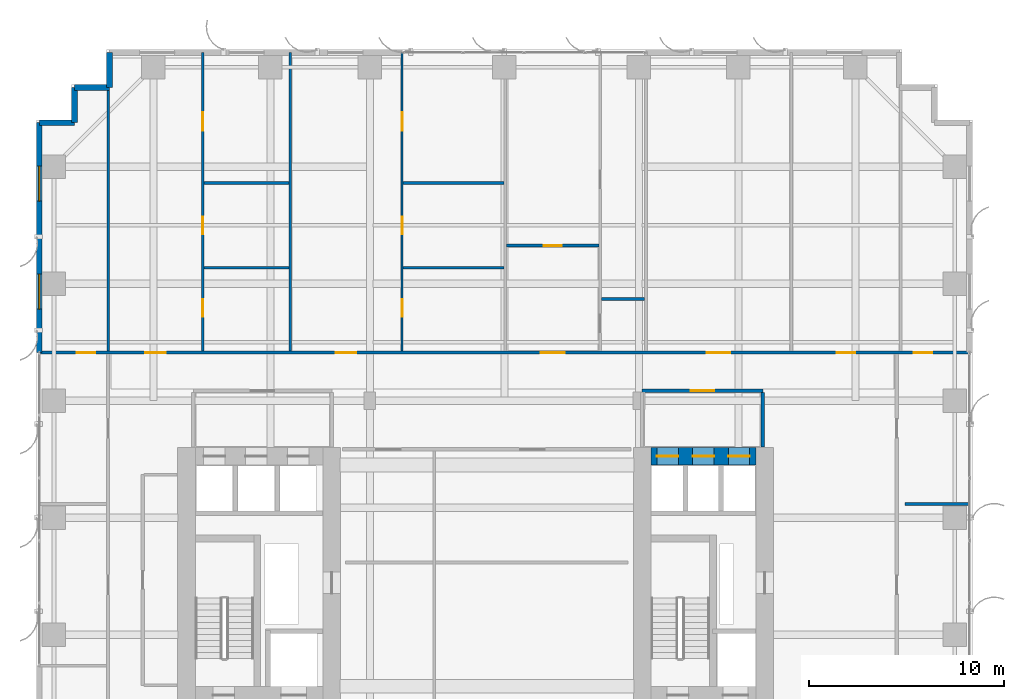
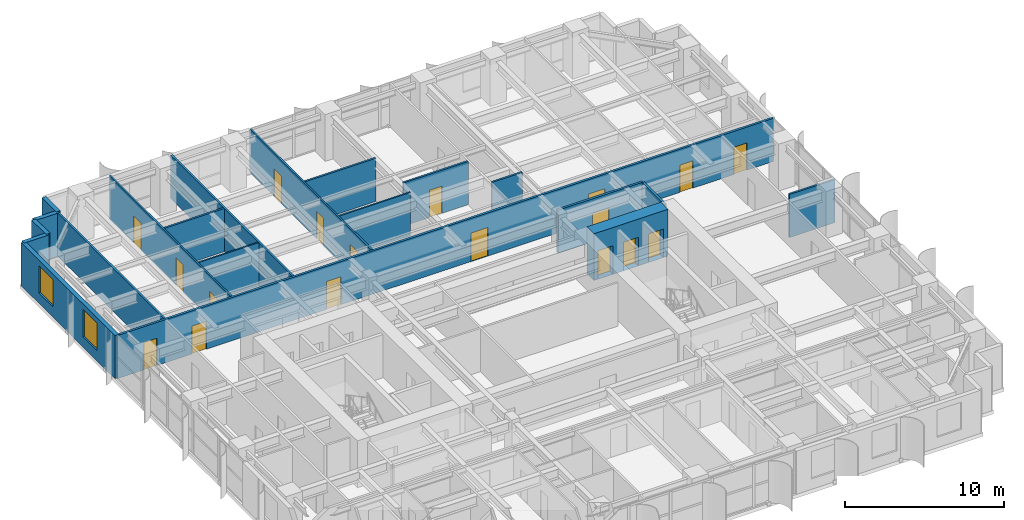
# One storey, part 18 of 23: 20 walls, 18 doors, 2 windows, 20 openings.
"""IFC4 building model written with IfcOpenShell, lengths in metres."""

from ifc_helpers import new_model, si_unit, direction, frame, frame_2d, origin, place, context, subcontext, project, spatial, rectangle, extrude, source, transform, mapped, material, layer, layer_set, type_object, element, fill, save


model = new_model("IFC4")

# Units and contexts
model_context = context("Model", 3, precision=1e-05, world=origin(), true_north=direction((0.0, 1.0)))
body_context = subcontext(model_context, "Body", "Model", "MODEL_VIEW")
ifc_project = project(units=[si_unit("LENGTHUNIT", "METRE"), si_unit("AREAUNIT", "SQUARE_METRE"), si_unit("VOLUMEUNIT", "CUBIC_METRE"), si_unit("PLANEANGLEUNIT", "RADIAN"), si_unit("MASSUNIT", "GRAM", prefix="KILO")], contexts=[model_context])

# Site, building, storey
site_placement = place(None, origin())
site = spatial("IfcSite", under=ifc_project, at=site_placement, CompositionType="ELEMENT")
building_placement = place(site_placement, origin())
building = spatial("IfcBuilding", under=site, at=building_placement, Name="Khoralis Quay Care Tower", CompositionType="ELEMENT")
storey_placement = place(building_placement, frame((0.0, 0.0, 36.89990234375)))
storey = spatial("IfcBuildingStorey", under=building, at=storey_placement, Name="L09", CompositionType="ELEMENT", Elevation=36.89990234375)

# Wall, openings, doors
ifc_material_1 = material(Name="Concrete C80/95", Category="concrete")
ifc_layer_1 = layer(ifc_material_1, 0.89990234375)
ifc_layer_set_1 = layer_set([ifc_layer_1], Name="Concrete C80/95")
wall_type_1 = type_object("IfcWallType", Name="WL-CORE-900", PredefinedType="SHEAR", material=ifc_layer_set_1)
wall_1_placement = place(storey_placement, frame((31.52001953125, 27.14990234375, 0.0), z_axis=(0.0, 0.0, 1.0), x_axis=(1.0, 0.0, 0.0)))
wall_1 = element("IfcWall", 1, at=wall_1_placement, inside=storey, type_object=wall_type_1, Name="L09 ECORE North Shear Wall", PredefinedType="SHEAR", context=body_context, shape_type="SweptSolid", body=[
    extrude(rectangle(XDim=5.3798828125, YDim=0.89990234375, at=frame_2d((2.68994140625, 0.0))), origin(), (0.0, 0.0, 1.0), 3.60009765625),
])
opening_1_placement = place(wall_1_placement, frame((0.300048828125, 0.0, 0.0)))
opening_1 = element("IfcOpeningElement", 2, at=opening_1_placement, cuts=wall_1, Name="Opening LD1", PredefinedType="OPENING", context=body_context, shape_type="SweptSolid", body=[
    extrude(rectangle(XDim=1.10009765625, YDim=2.199951171875, at=frame_2d((0.550048828125, 1.10009765625))), frame((0.0, 0.4599609375, 0.0), z_axis=(0.0, -1.0, 0.0), x_axis=(1.0, 0.0, 0.0)), (0.0, 0.0, 1.0), 0.919921875),
])
opening_2_placement = place(wall_1_placement, frame((2.1298828125, 0.0, 0.0)))
opening_2 = element("IfcOpeningElement", 3, at=opening_2_placement, cuts=wall_1, Name="Opening LD1", PredefinedType="OPENING", context=body_context, shape_type="SweptSolid", body=[
    extrude(rectangle(XDim=1.10009765625, YDim=2.199951171875, at=frame_2d((0.550048828125, 1.10009765625))), frame((0.0, 0.4599609375, 0.0), z_axis=(0.0, -1.0, 0.0), x_axis=(1.0, 0.0, 0.0)), (0.0, 0.0, 1.0), 0.919921875),
])
opening_3_placement = place(wall_1_placement, frame((3.9599609375, 0.0, 0.0)))
opening_3 = element("IfcOpeningElement", 4, at=opening_3_placement, cuts=wall_1, Name="Opening LD1", PredefinedType="OPENING", context=body_context, shape_type="SweptSolid", body=[
    extrude(rectangle(XDim=1.10009765625, YDim=2.199951171875, at=frame_2d((0.550048828125, 1.10009765625))), frame((0.0, 0.4599609375, 0.0), z_axis=(0.0, -1.0, 0.0), x_axis=(1.0, 0.0, 0.0)), (0.0, 0.0, 1.0), 0.919921875),
])
ifc_material_2 = material(Name="Brushed stainless steel", Category="steel")
door_type_1 = type_object("IfcDoorType", Name="DR-LIFT-1100X2200", OperationType="SLIDING_TO_LEFT", PredefinedType="DOOR", material=ifc_material_2)
shared_shape_1 = source(origin(), body_context, "Body", "SweptSolid", [
    extrude(rectangle(XDim=1.10009765625, YDim=2.199951171875, at=frame_2d((0.550048828125, 1.10009765625))), frame((0.0, 0.02490234375, 0.0), z_axis=(0.0, -1.0, 0.0), x_axis=(1.0, 0.0, 0.0)), (0.0, 0.0, 1.0), 0.050048828125),
])
door_1_placement = place(opening_1_placement, origin())
door_1 = element("IfcDoor", 5, at=door_1_placement, inside=storey, type_object=door_type_1, Name="L09 Lift PLL2 Landing Door", OperationType="SLIDING_TO_LEFT", OverallHeight=2.199951171875, OverallWidth=1.10009765625, PredefinedType="DOOR", context=body_context, shape_type="MappedRepresentation", body=[
    mapped(shared_shape_1, transform((0.0, 0.0, 0.0), scale=1.0)),
])
fill(opening_1, door_1)
door_2_placement = place(opening_2_placement, origin())
door_2 = element("IfcDoor", 6, at=door_2_placement, inside=storey, type_object=door_type_1, Name="L09 Lift PLM2 Landing Door", OperationType="SLIDING_TO_LEFT", OverallHeight=2.199951171875, OverallWidth=1.10009765625, PredefinedType="DOOR", context=body_context, shape_type="MappedRepresentation", body=[
    mapped(shared_shape_1, transform((0.0, 0.0, 0.0), scale=1.0)),
])
fill(opening_2, door_2)
door_3_placement = place(opening_3_placement, origin())
door_3 = element("IfcDoor", 7, at=door_3_placement, inside=storey, type_object=door_type_1, Name="L09 Lift PLH2 Landing Door", OperationType="SLIDING_TO_LEFT", OverallHeight=2.199951171875, OverallWidth=1.10009765625, PredefinedType="DOOR", context=body_context, shape_type="MappedRepresentation", body=[
    mapped(shared_shape_1, transform((0.0, 0.0, 0.0), scale=1.0)),
])
fill(opening_3, door_3)

# Wall, opening, door
ifc_material_3 = material(Name="Gypsum plasterboard on acoustic metal stud")
ifc_layer_2 = layer(ifc_material_3, 0.1650390625)
ifc_layer_set_2 = layer_set([ifc_layer_2], Name="Gypsum plasterboard on acoustic metal stud")
wall_type_2 = type_object("IfcWallType", Name="WL-CORR-165", PredefinedType="PARTITIONING", material=ifc_layer_set_2)
wall_2_placement = place(storey_placement, frame((31.050048828125, 30.5, 0.0), z_axis=(0.0, 0.0, 1.0), x_axis=(1.0, 0.0, 0.0)))
wall_2 = element("IfcWall", 8, at=wall_2_placement, inside=storey, type_object=wall_type_2, Name="L09 East Lift Lobby North Wall", PredefinedType="PARTITIONING", context=body_context, shape_type="SweptSolid", body=[
    extrude(rectangle(XDim=6.199951171875, YDim=0.1650390625, at=frame_2d((3.10009765625, 0.0))), origin(), (0.0, 0.0, 1.0), 3.320068359375),
])
opening_4_placement = place(wall_2_placement, frame((2.5, 0.0, 0.0)))
opening_4 = element("IfcOpeningElement", 9, at=opening_4_placement, cuts=wall_2, Name="Opening FD1", PredefinedType="OPENING", context=body_context, shape_type="SweptSolid", body=[
    extrude(rectangle(XDim=1.199951171875, YDim=2.199951171875, at=frame_2d((0.60009765625, 1.10009765625))), frame((0.0, 0.092529296875, 0.0), z_axis=(0.0, -1.0, 0.0), x_axis=(1.0, 0.0, 0.0)), (0.0, 0.0, 1.0), 0.18505859375),
])
ifc_material_4 = material(Name="Fire-rated painted steel", Category="steel")
door_type_2 = type_object("IfcDoorType", Name="DR-FFL-1200X2200", OperationType="NOTDEFINED", PredefinedType="DOOR", material=ifc_material_4)
shared_shape_2 = source(origin(), body_context, "Body", "SweptSolid", [
    extrude(rectangle(XDim=1.199951171875, YDim=2.199951171875, at=frame_2d((0.60009765625, 1.10009765625))), frame((0.0, 0.02490234375, 0.0), z_axis=(0.0, -1.0, 0.0), x_axis=(1.0, 0.0, 0.0)), (0.0, 0.0, 1.0), 0.050048828125),
])
door_4_placement = place(opening_4_placement, origin())
door_4 = element("IfcDoor", 10, at=door_4_placement, inside=storey, type_object=door_type_2, Name="L09 East Lift Lobby Double Door", OperationType="DOUBLE_DOOR_SINGLE_SWING", OverallHeight=2.199951171875, OverallWidth=1.199951171875, PredefinedType="DOOR", context=body_context, shape_type="MappedRepresentation", body=[
    mapped(shared_shape_2, transform((0.0, 0.0, 0.0), scale=1.0)),
])
fill(opening_4, door_4)

# Wall
wall_3_placement = place(storey_placement, frame((37.25, 27.6201171875, 0.0), z_axis=(0.0, 0.0, 1.0), x_axis=(0.0, 1.0, 0.0)))
element("IfcWall", 11, at=wall_3_placement, inside=storey, type_object=wall_type_2, Name="L09 East Lift Lobby East Wall", PredefinedType="PARTITIONING", context=body_context, shape_type="SweptSolid", body=[
    extrude(rectangle(XDim=2.802490234375, YDim=0.1650390625, at=frame_2d((1.4013671875, 0.0))), origin(), (0.0, 0.0, 1.0), 3.320068359375),
])

# Wall, openings, doors
wall_4_placement = place(storey_placement, frame((0.14501953125, 32.4599609375, 0.0), z_axis=(0.0, 0.0, 1.0), x_axis=(1.0, 0.0, 0.0)))
wall_4 = element("IfcWall", 12, at=wall_4_placement, inside=storey, type_object=wall_type_2, Name="L09 North Main Corridor Wall", PredefinedType="PARTITIONING", context=body_context, shape_type="SweptSolid", body=[
    extrude(rectangle(XDim=47.7099609375, YDim=0.1650390625, at=frame_2d((23.85498046875, 0.0))), origin(), (0.0, 0.0, 1.0), 3.320068359375),
])
opening_5_placement = place(wall_4_placement, frame((5.4384765625, 0.0, 0.0)))
opening_5 = element("IfcOpeningElement", 13, at=opening_5_placement, cuts=wall_4, Name="Opening UD1", PredefinedType="OPENING", context=body_context, shape_type="SweptSolid", body=[
    extrude(rectangle(XDim=1.050048828125, YDim=2.14990234375, at=frame_2d((0.52490234375, 1.074951171875))), frame((0.0, 0.092529296875, 0.0), z_axis=(0.0, -1.0, 0.0), x_axis=(1.0, 0.0, 0.0)), (0.0, 0.0, 1.0), 0.18505859375),
])
opening_6_placement = place(wall_4_placement, frame((15.218017578125, 0.0, 0.0)))
opening_6 = element("IfcOpeningElement", 14, at=opening_6_placement, cuts=wall_4, Name="Opening UD1", PredefinedType="OPENING", context=body_context, shape_type="SweptSolid", body=[
    extrude(rectangle(XDim=1.050048828125, YDim=2.14990234375, at=frame_2d((0.52490234375, 1.074951171875))), frame((0.0, 0.092529296875, 0.0), z_axis=(0.0, -1.0, 0.0), x_axis=(1.0, 0.0, 0.0)), (0.0, 0.0, 1.0), 0.18505859375),
])
opening_7_placement = place(wall_4_placement, frame((25.7099609375, 0.0, 0.0)))
opening_7 = element("IfcOpeningElement", 15, at=opening_7_placement, cuts=wall_4, Name="Opening CD1", PredefinedType="OPENING", context=body_context, shape_type="SweptSolid", body=[
    extrude(rectangle(XDim=1.25, YDim=2.199951171875, at=frame_2d((0.625, 1.10009765625))), frame((0.0, 0.092529296875, 0.0), z_axis=(0.0, -1.0, 0.0), x_axis=(1.0, 0.0, 0.0)), (0.0, 0.0, 1.0), 0.18505859375),
])
opening_8_placement = place(wall_4_placement, frame((34.239990234375, 0.0, 0.0)))
opening_8 = element("IfcOpeningElement", 16, at=opening_8_placement, cuts=wall_4, Name="Opening FD1", PredefinedType="OPENING", context=body_context, shape_type="SweptSolid", body=[
    extrude(rectangle(XDim=1.199951171875, YDim=2.199951171875, at=frame_2d((0.60009765625, 1.10009765625))), frame((0.0, 0.092529296875, 0.0), z_axis=(0.0, -1.0, 0.0), x_axis=(1.0, 0.0, 0.0)), (0.0, 0.0, 1.0), 0.18505859375),
])
opening_9_placement = place(wall_4_placement, frame((40.89501953125, 0.0, 0.0)))
opening_9 = element("IfcOpeningElement", 17, at=opening_9_placement, cuts=wall_4, Name="Opening ID1", PredefinedType="OPENING", context=body_context, shape_type="SweptSolid", body=[
    extrude(rectangle(XDim=0.949951171875, YDim=2.10009765625, at=frame_2d((0.47509765625, 1.050048828125))), frame((0.0, 0.092529296875, 0.0), z_axis=(0.0, -1.0, 0.0), x_axis=(1.0, 0.0, 0.0)), (0.0, 0.0, 1.0), 0.18505859375),
])
opening_10_placement = place(wall_4_placement, frame((1.919921875, 0.0, 0.0)))
opening_10 = element("IfcOpeningElement", 18, at=opening_10_placement, cuts=wall_4, Name="Opening ID1", PredefinedType="OPENING", context=body_context, shape_type="SweptSolid", body=[
    extrude(rectangle(XDim=0.949951171875, YDim=2.10009765625, at=frame_2d((0.47509765625, 1.050048828125))), frame((0.0, 0.092529296875, 0.0), z_axis=(0.0, -1.0, 0.0), x_axis=(1.0, 0.0, 0.0)), (0.0, 0.0, 1.0), 0.18505859375),
])
opening_11_placement = place(wall_4_placement, frame((44.840087890625, 0.0, 0.0)))
opening_11 = element("IfcOpeningElement", 19, at=opening_11_placement, cuts=wall_4, Name="Opening ID1", PredefinedType="OPENING", context=body_context, shape_type="SweptSolid", body=[
    extrude(rectangle(XDim=0.949951171875, YDim=2.10009765625, at=frame_2d((0.47509765625, 1.050048828125))), frame((0.0, 0.092529296875, 0.0), z_axis=(0.0, -1.0, 0.0), x_axis=(1.0, 0.0, 0.0)), (0.0, 0.0, 1.0), 0.18505859375),
])
door_5_placement = place(opening_8_placement, origin())
door_5 = element("IfcDoor", 20, at=door_5_placement, inside=storey, type_object=door_type_2, Name="L09 Senior Wellness Pharmacy Shop Door", OperationType="DOUBLE_DOOR_SINGLE_SWING", OverallHeight=2.199951171875, OverallWidth=1.199951171875, PredefinedType="DOOR", context=body_context, shape_type="MappedRepresentation", body=[
    mapped(shared_shape_2, transform((0.0, 0.0, 0.0), scale=1.0)),
])
fill(opening_8, door_5)
ifc_material_5 = material(Name="Acoustic hardwood timber", Category="wood")
door_type_3 = type_object("IfcDoorType", Name="DR-CARE-1250X2200", OperationType="NOTDEFINED", PredefinedType="DOOR", material=ifc_material_5)
shared_shape_3 = source(origin(), body_context, "Body", "SweptSolid", [
    extrude(rectangle(XDim=1.25, YDim=2.199951171875, at=frame_2d((0.625, 1.10009765625))), frame((0.0, 0.02490234375, 0.0), z_axis=(0.0, -1.0, 0.0), x_axis=(1.0, 0.0, 0.0)), (0.0, 0.0, 1.0), 0.050048828125),
])
door_6_placement = place(opening_7_placement, origin())
door_6 = element("IfcDoor", 21, at=door_6_placement, inside=storey, type_object=door_type_3, Name="L09 Care Suite NB2 Clinical Door", OperationType="SINGLE_SWING_LEFT", OverallHeight=2.199951171875, OverallWidth=1.25, PredefinedType="DOOR", context=body_context, shape_type="MappedRepresentation", body=[
    mapped(shared_shape_3, transform((0.0, 0.0, 0.0), scale=1.0)),
])
fill(opening_7, door_6)
door_type_4 = type_object("IfcDoorType", Name="DR-ROOM-950X2100", OperationType="NOTDEFINED", PredefinedType="DOOR", material=ifc_material_5)
shared_shape_4 = source(origin(), body_context, "Body", "SweptSolid", [
    extrude(rectangle(XDim=0.949951171875, YDim=2.10009765625, at=frame_2d((0.47509765625, 1.050048828125))), frame((0.0, 0.02490234375, 0.0), z_axis=(0.0, -1.0, 0.0), x_axis=(1.0, 0.0, 0.0)), (0.0, 0.0, 1.0), 0.050048828125),
])
door_7_placement = place(opening_9_placement, origin())
door_7 = element("IfcDoor", 22, at=door_7_placement, inside=storey, type_object=door_type_4, Name="L09 Family Case Conference Room Door", OperationType="SINGLE_SWING_RIGHT", OverallHeight=2.10009765625, OverallWidth=0.949951171875, PredefinedType="DOOR", context=body_context, shape_type="MappedRepresentation", body=[
    mapped(shared_shape_4, transform((0.0, 0.0, 0.0), scale=1.0)),
])
fill(opening_9, door_7)
door_8_placement = place(opening_10_placement, origin())
door_8 = element("IfcDoor", 23, at=door_8_placement, inside=storey, type_object=door_type_4, Name="L09 NW Corner Door", OperationType="SINGLE_SWING_RIGHT", OverallHeight=2.10009765625, OverallWidth=0.949951171875, PredefinedType="DOOR", context=body_context, shape_type="MappedRepresentation", body=[
    mapped(shared_shape_4, transform((0.0, 0.0, 0.0), scale=1.0)),
])
fill(opening_10, door_8)
door_9_placement = place(opening_11_placement, origin())
door_9 = element("IfcDoor", 24, at=door_9_placement, inside=storey, type_object=door_type_4, Name="L09 NE Corner Door", OperationType="SINGLE_SWING_LEFT", OverallHeight=2.10009765625, OverallWidth=0.949951171875, PredefinedType="DOOR", context=body_context, shape_type="MappedRepresentation", body=[
    mapped(shared_shape_4, transform((0.0, 0.0, 0.0), scale=1.0)),
])
fill(opening_11, door_9)
door_type_5 = type_object("IfcDoorType", Name="DR-SUITE-1050X2150", OperationType="NOTDEFINED", PredefinedType="DOOR", material=ifc_material_5)
shared_shape_5 = source(origin(), body_context, "Body", "SweptSolid", [
    extrude(rectangle(XDim=1.050048828125, YDim=2.14990234375, at=frame_2d((0.52490234375, 1.074951171875))), frame((0.0, 0.02490234375, 0.0), z_axis=(0.0, -1.0, 0.0), x_axis=(1.0, 0.0, 0.0)), (0.0, 0.0, 1.0), 0.050048828125),
])
door_10_placement = place(opening_5_placement, origin())
door_10 = element("IfcDoor", 25, at=door_10_placement, inside=storey, type_object=door_type_5, Name="L09 Apartment NB0 Entrance Door", OperationType="SINGLE_SWING_LEFT", OverallHeight=2.14990234375, OverallWidth=1.050048828125, PredefinedType="DOOR", context=body_context, shape_type="MappedRepresentation", body=[
    mapped(shared_shape_5, transform((0.0, 0.0, 0.0), scale=1.0)),
])
fill(opening_5, door_10)
door_11_placement = place(opening_6_placement, origin())
door_11 = element("IfcDoor", 26, at=door_11_placement, inside=storey, type_object=door_type_5, Name="L09 Apartment NB1 Entrance Door", OperationType="SINGLE_SWING_RIGHT", OverallHeight=2.14990234375, OverallWidth=1.050048828125, PredefinedType="DOOR", context=body_context, shape_type="MappedRepresentation", body=[
    mapped(shared_shape_5, transform((0.0, 0.0, 0.0), scale=1.0)),
])
fill(opening_6, door_11)

# Walls
ifc_material_6 = material(Name="Precast concrete C45/55", Category="concrete")
ifc_layer_3 = layer(ifc_material_6, 0.300048828125)
ifc_layer_set_3 = layer_set([ifc_layer_3], Name="Precast concrete C45/55")
wall_type_3 = type_object("IfcWallType", Name="WL-EXT-REF-300", PredefinedType="SOLIDWALL", material=ifc_layer_set_3)
for number, where, z_axis, x_axis, name in (
    (27, (3.75, 47.85009765625, 0.0), (0.0, 0.0, 1.0), (0.0, -1.0, 0.0), "L09 External Facade Wall WL-EXT-L09-P1-C11"),
    (28, (3.75, 46.050048828125, 0.0), (0.0, 0.0, 1.0), (-1.0, 0.0, 0.0), "L09 External Facade Wall WL-EXT-L09-P1-C12"),
    (29, (1.949951171875, 46.050048828125, 0.0), (0.0, 0.0, 1.0), (0.0, -1.0, 0.0), "L09 External Facade Wall WL-EXT-L09-P1-C13"),
    (30, (1.949951171875, 44.25, 0.0), (0.0, 0.0, 1.0), (-1.0, 0.0, 0.0), "L09 External Facade Wall WL-EXT-L09-P1-C14"),
):
    element("IfcWall", number, at=place(storey_placement, frame(where, z_axis=z_axis, x_axis=x_axis)), inside=storey, type_object=wall_type_3, Name=name, PredefinedType="SOLIDWALL", context=body_context, shape_type="SweptSolid", body=[
        extrude(rectangle(XDim=1.800048828125, YDim=0.300048828125, at=frame_2d((0.89990234375, 0.0))), origin(), (0.0, 0.0, 1.0), 3.320068359375),
    ])

# Wall, openings, windows
wall_5_placement = place(storey_placement, frame((0.14990234375, 44.25, 0.0), z_axis=(0.0, 0.0, 1.0), x_axis=(0.0, -1.0, 0.0)))
wall_5 = element("IfcWall", 31, at=wall_5_placement, inside=storey, type_object=wall_type_3, Name="L09 External Facade Wall WL-EXT-L09-P1-E15A", PredefinedType="SOLIDWALL", context=body_context, shape_type="SweptSolid", body=[
    extrude(rectangle(XDim=11.7900390625, YDim=0.300048828125, at=frame_2d((5.89501953125, 0.0))), origin(), (0.0, 0.0, 1.0), 3.320068359375),
])
opening_12_placement = place(wall_5_placement, frame((2.2275390625, 0.0, 0.800048828125)))
opening_12 = element("IfcOpeningElement", 32, at=opening_12_placement, cuts=wall_5, Name="Opening W2", PredefinedType="OPENING", context=body_context, shape_type="SweptSolid", body=[
    extrude(rectangle(XDim=1.800048828125, YDim=2.10009765625, at=frame_2d((0.89990234375, 1.050048828125))), frame((0.0, 0.16015625, 0.0), z_axis=(0.0, -1.0, 0.0), x_axis=(1.0, 0.0, 0.0)), (0.0, 0.0, 1.0), 0.320068359375),
])
opening_13_placement = place(wall_5_placement, frame((7.762451171875, 0.0, 0.800048828125)))
opening_13 = element("IfcOpeningElement", 33, at=opening_13_placement, cuts=wall_5, Name="Opening W2", PredefinedType="OPENING", context=body_context, shape_type="SweptSolid", body=[
    extrude(rectangle(XDim=1.800048828125, YDim=2.10009765625, at=frame_2d((0.89990234375, 1.050048828125))), frame((0.0, 0.16015625, 0.0), z_axis=(0.0, -1.0, 0.0), x_axis=(1.0, 0.0, 0.0)), (0.0, 0.0, 1.0), 0.320068359375),
])
ifc_material_7 = material(Name="Low-E solar-control double glazing", Category="glass")
window_type = type_object("IfcWindowType", Name="WN-POD-1800X2100", PartitioningType="SINGLE_PANEL", PredefinedType="WINDOW", material=ifc_material_7)
shared_shape_6 = source(origin(), body_context, "Body", "SweptSolid", [
    extrude(rectangle(XDim=1.800048828125, YDim=2.10009765625, at=frame_2d((0.89990234375, 1.050048828125))), frame((0.0, 0.030029296875, 0.0), z_axis=(0.0, -1.0, 0.0), x_axis=(1.0, 0.0, 0.0)), (0.0, 0.0, 1.0), 0.06005859375),
])
window_1_placement = place(opening_12_placement, origin())
window_1 = element("IfcWindow", 34, at=window_1_placement, inside=storey, type_object=window_type, Name="WN-L09-P1-E15A Facade Window 01", OverallHeight=2.10009765625, OverallWidth=1.800048828125, PartitioningType="SINGLE_PANEL", PredefinedType="WINDOW", context=body_context, shape_type="MappedRepresentation", body=[
    mapped(shared_shape_6, transform((0.0, 0.0, 0.0), scale=1.0)),
])
fill(opening_12, window_1)
window_2_placement = place(opening_13_placement, origin())
window_2 = element("IfcWindow", 35, at=window_2_placement, inside=storey, type_object=window_type, Name="WN-L09-P1-E15A Facade Window 02", OverallHeight=2.10009765625, OverallWidth=1.800048828125, PartitioningType="SINGLE_PANEL", PredefinedType="WINDOW", context=body_context, shape_type="MappedRepresentation", body=[
    mapped(shared_shape_6, transform((0.0, 0.0, 0.0), scale=1.0)),
])
fill(opening_13, window_2)

# Wall, openings, doors
ifc_layer_4 = layer(ifc_material_3, 0.114990234375)
ifc_layer_set_4 = layer_set([ifc_layer_4], Name="Gypsum plasterboard on acoustic metal stud")
wall_type_4 = type_object("IfcWallType", Name="WL-PART-115", PredefinedType="PARTITIONING", material=ifc_layer_set_4)
wall_6_placement = place(storey_placement, frame((8.537109375, 32.53759765625, 0.0), z_axis=(0.0, 0.0, 1.0), x_axis=(0.0, 1.0, 0.0)))
wall_6 = element("IfcWall", 36, at=wall_6_placement, inside=storey, type_object=wall_type_4, Name="L09 Unit 0 Internal Wall", PredefinedType="PARTITIONING", context=body_context, shape_type="SweptSolid", body=[
    extrude(rectangle(XDim=15.3173828125, YDim=0.114990234375, at=frame_2d((7.65869140625, 0.0))), origin(), (0.0, 0.0, 1.0), 3.320068359375),
])
opening_14_placement = place(wall_6_placement, frame((11.29345703125, 0.0, 0.0)))
opening_14 = element("IfcOpeningElement", 37, at=opening_14_placement, cuts=wall_6, Name="Opening ID1", PredefinedType="OPENING", context=body_context, shape_type="SweptSolid", body=[
    extrude(rectangle(XDim=0.949951171875, YDim=2.10009765625, at=frame_2d((0.47509765625, 1.050048828125))), frame((0.0, 0.0673828125, 0.0), z_axis=(0.0, -1.0, 0.0), x_axis=(1.0, 0.0, 0.0)), (0.0, 0.0, 1.0), 0.135009765625),
])
opening_15_placement = place(wall_6_placement, frame((5.9990234375, 0.0, 0.0)))
opening_15 = element("IfcOpeningElement", 38, at=opening_15_placement, cuts=wall_6, Name="Opening WD1", PredefinedType="OPENING", context=body_context, shape_type="SweptSolid", body=[
    extrude(rectangle(XDim=0.89990234375, YDim=2.10009765625, at=frame_2d((0.449951171875, 1.050048828125))), frame((0.0, 0.0673828125, 0.0), z_axis=(0.0, -1.0, 0.0), x_axis=(1.0, 0.0, 0.0)), (0.0, 0.0, 1.0), 0.135009765625),
])
opening_16_placement = place(wall_6_placement, frame((1.762939453125, 0.0, 0.0)))
opening_16 = element("IfcOpeningElement", 39, at=opening_16_placement, cuts=wall_6, Name="Opening WD1", PredefinedType="OPENING", context=body_context, shape_type="SweptSolid", body=[
    extrude(rectangle(XDim=0.89990234375, YDim=2.10009765625, at=frame_2d((0.449951171875, 1.050048828125))), frame((0.0, 0.0673828125, 0.0), z_axis=(0.0, -1.0, 0.0), x_axis=(1.0, 0.0, 0.0)), (0.0, 0.0, 1.0), 0.135009765625),
])
door_type_6 = type_object("IfcDoorType", Name="DR-BATH-900X2100", OperationType="NOTDEFINED", PredefinedType="DOOR", material=ifc_material_5)
shared_shape_7 = source(origin(), body_context, "Body", "SweptSolid", [
    extrude(rectangle(XDim=0.89990234375, YDim=2.10009765625, at=frame_2d((0.449951171875, 1.050048828125))), frame((0.0, 0.02490234375, 0.0), z_axis=(0.0, -1.0, 0.0), x_axis=(1.0, 0.0, 0.0)), (0.0, 0.0, 1.0), 0.050048828125),
])
door_12_placement = place(opening_15_placement, frame((0.89990234375, 0.0, 0.0), z_axis=(0.0, 0.0, 1.0), x_axis=(-1.0, 0.0, 0.0)))
door_12 = element("IfcDoor", 40, at=door_12_placement, inside=storey, type_object=door_type_6, Name="L09 Apartment NB0 KIT Door", OperationType="SINGLE_SWING_LEFT", OverallHeight=2.10009765625, OverallWidth=0.89990234375, PredefinedType="DOOR", context=body_context, shape_type="MappedRepresentation", body=[
    mapped(shared_shape_7, transform((0.0, 0.0, 0.0), scale=1.0)),
])
fill(opening_15, door_12)
door_13_placement = place(opening_16_placement, frame((0.89990234375, 0.0, 0.0), z_axis=(0.0, 0.0, 1.0), x_axis=(-1.0, 0.0, 0.0)))
door_13 = element("IfcDoor", 41, at=door_13_placement, inside=storey, type_object=door_type_6, Name="L09 Apartment NB0 BTH Door", OperationType="SINGLE_SWING_RIGHT", OverallHeight=2.10009765625, OverallWidth=0.89990234375, PredefinedType="DOOR", context=body_context, shape_type="MappedRepresentation", body=[
    mapped(shared_shape_7, transform((0.0, 0.0, 0.0), scale=1.0)),
])
fill(opening_16, door_13)
door_14_placement = place(opening_14_placement, frame((0.949951171875, 0.0, 0.0), z_axis=(0.0, 0.0, 1.0), x_axis=(-1.0, 0.0, 0.0)))
door_14 = element("IfcDoor", 42, at=door_14_placement, inside=storey, type_object=door_type_4, Name="L09 Apartment NB0 BED Door", OperationType="SINGLE_SWING_RIGHT", OverallHeight=2.10009765625, OverallWidth=0.949951171875, PredefinedType="DOOR", context=body_context, shape_type="MappedRepresentation", body=[
    mapped(shared_shape_4, transform((0.0, 0.0, 0.0), scale=1.0)),
])
fill(opening_14, door_14)

# Wall
wall_7_placement = place(storey_placement, frame((8.589599609375, 36.81103515625, 0.0), z_axis=(0.0, 0.0, 1.0), x_axis=(1.0, 0.0, 0.0)))
element("IfcWall", 43, at=wall_7_placement, inside=storey, type_object=wall_type_4, Name="L09 Unit 0 Kitchen Wall", PredefinedType="PARTITIONING", context=body_context, shape_type="SweptSolid", body=[
    extrude(rectangle(XDim=4.365478515625, YDim=0.114990234375, at=frame_2d((2.1826171875, 0.0))), origin(), (0.0, 0.0, 1.0), 3.320068359375),
])

# Wall, openings, doors
wall_8_placement = place(storey_placement, frame((18.756103515625, 32.53759765625, 0.0), z_axis=(0.0, 0.0, 1.0), x_axis=(0.0, 1.0, 0.0)))
wall_8 = element("IfcWall", 44, at=wall_8_placement, inside=storey, type_object=wall_type_4, Name="L09 Unit 1 Internal Wall", PredefinedType="PARTITIONING", context=body_context, shape_type="SweptSolid", body=[
    extrude(rectangle(XDim=15.3173828125, YDim=0.114990234375, at=frame_2d((7.65869140625, 0.0))), origin(), (0.0, 0.0, 1.0), 3.320068359375),
])
opening_17_placement = place(wall_8_placement, frame((11.29345703125, 0.0, 0.0)))
opening_17 = element("IfcOpeningElement", 45, at=opening_17_placement, cuts=wall_8, Name="Opening ID1", PredefinedType="OPENING", context=body_context, shape_type="SweptSolid", body=[
    extrude(rectangle(XDim=0.949951171875, YDim=2.10009765625, at=frame_2d((0.47509765625, 1.050048828125))), frame((0.0, 0.0673828125, 0.0), z_axis=(0.0, -1.0, 0.0), x_axis=(1.0, 0.0, 0.0)), (0.0, 0.0, 1.0), 0.135009765625),
])
opening_18_placement = place(wall_8_placement, frame((5.9990234375, 0.0, 0.0)))
opening_18 = element("IfcOpeningElement", 46, at=opening_18_placement, cuts=wall_8, Name="Opening WD1", PredefinedType="OPENING", context=body_context, shape_type="SweptSolid", body=[
    extrude(rectangle(XDim=0.89990234375, YDim=2.10009765625, at=frame_2d((0.449951171875, 1.050048828125))), frame((0.0, 0.0673828125, 0.0), z_axis=(0.0, -1.0, 0.0), x_axis=(1.0, 0.0, 0.0)), (0.0, 0.0, 1.0), 0.135009765625),
])
opening_19_placement = place(wall_8_placement, frame((1.762939453125, 0.0, 0.0)))
opening_19 = element("IfcOpeningElement", 47, at=opening_19_placement, cuts=wall_8, Name="Opening WD1", PredefinedType="OPENING", context=body_context, shape_type="SweptSolid", body=[
    extrude(rectangle(XDim=0.89990234375, YDim=2.10009765625, at=frame_2d((0.449951171875, 1.050048828125))), frame((0.0, 0.0673828125, 0.0), z_axis=(0.0, -1.0, 0.0), x_axis=(1.0, 0.0, 0.0)), (0.0, 0.0, 1.0), 0.135009765625),
])
door_15_placement = place(opening_18_placement, frame((0.89990234375, 0.0, 0.0), z_axis=(0.0, 0.0, 1.0), x_axis=(-1.0, 0.0, 0.0)))
door_15 = element("IfcDoor", 48, at=door_15_placement, inside=storey, type_object=door_type_6, Name="L09 Apartment NB1 KIT Door", OperationType="SINGLE_SWING_RIGHT", OverallHeight=2.10009765625, OverallWidth=0.89990234375, PredefinedType="DOOR", context=body_context, shape_type="MappedRepresentation", body=[
    mapped(shared_shape_7, transform((0.0, 0.0, 0.0), scale=1.0)),
])
fill(opening_18, door_15)
door_16_placement = place(opening_19_placement, frame((0.89990234375, 0.0, 0.0), z_axis=(0.0, 0.0, 1.0), x_axis=(-1.0, 0.0, 0.0)))
door_16 = element("IfcDoor", 49, at=door_16_placement, inside=storey, type_object=door_type_6, Name="L09 Apartment NB1 BTH Door", OperationType="SINGLE_SWING_LEFT", OverallHeight=2.10009765625, OverallWidth=0.89990234375, PredefinedType="DOOR", context=body_context, shape_type="MappedRepresentation", body=[
    mapped(shared_shape_7, transform((0.0, 0.0, 0.0), scale=1.0)),
])
fill(opening_19, door_16)
door_17_placement = place(opening_17_placement, frame((0.949951171875, 0.0, 0.0), z_axis=(0.0, 0.0, 1.0), x_axis=(-1.0, 0.0, 0.0)))
door_17 = element("IfcDoor", 50, at=door_17_placement, inside=storey, type_object=door_type_4, Name="L09 Apartment NB1 BED Door", OperationType="SINGLE_SWING_LEFT", OverallHeight=2.10009765625, OverallWidth=0.949951171875, PredefinedType="DOOR", context=body_context, shape_type="MappedRepresentation", body=[
    mapped(shared_shape_4, transform((0.0, 0.0, 0.0), scale=1.0)),
])
fill(opening_17, door_17)

# Walls
wall_9_placement = place(storey_placement, frame((18.80859375, 36.81103515625, 0.0), z_axis=(0.0, 0.0, 1.0), x_axis=(1.0, 0.0, 0.0)))
element("IfcWall", 51, at=wall_9_placement, inside=storey, type_object=wall_type_4, Name="L09 Unit 1 Kitchen Wall", PredefinedType="PARTITIONING", context=body_context, shape_type="SweptSolid", body=[
    extrude(rectangle(XDim=5.176513671875, YDim=0.114990234375, at=frame_2d((2.58837890625, 0.0))), origin(), (0.0, 0.0, 1.0), 3.320068359375),
])
ifc_material_8 = material(Name="Moisture-resistant gypsum and ceramic tile")
ifc_layer_5 = layer(ifc_material_8, 0.280029296875)
ifc_layer_set_5 = layer_set([ifc_layer_5], Name="Moisture-resistant gypsum and ceramic tile")
wall_type_5 = type_object("IfcWallType", Name="WL-PLUMB-280", PredefinedType="PLUMBINGWALL", material=ifc_layer_set_5)
wall_10_placement = place(storey_placement, frame((8.589599609375, 41.162109375, 0.0), z_axis=(0.0, 0.0, 1.0), x_axis=(1.0, 0.0, 0.0)))
element("IfcWall", 52, at=wall_10_placement, inside=storey, type_object=wall_type_5, Name="L09 Unit 0 Wet Wall", PredefinedType="PLUMBINGWALL", context=body_context, shape_type="SweptSolid", body=[
    extrude(rectangle(XDim=4.365478515625, YDim=0.139892578125, at=frame_2d((2.1826171875, 0.0))), origin(), (0.0, 0.0, 1.0), 3.320068359375),
])
wall_11_placement = place(storey_placement, frame((18.80859375, 41.162109375, 0.0), z_axis=(0.0, 0.0, 1.0), x_axis=(1.0, 0.0, 0.0)))
element("IfcWall", 53, at=wall_11_placement, inside=storey, type_object=wall_type_5, Name="L09 Unit 1 Wet Wall", PredefinedType="PLUMBINGWALL", context=body_context, shape_type="SweptSolid", body=[
    extrude(rectangle(XDim=5.176513671875, YDim=0.139892578125, at=frame_2d((2.58837890625, 0.0))), origin(), (0.0, 0.0, 1.0), 3.320068359375),
])
wall_12_placement = place(storey_placement, frame((28.97509765625, 35.2099609375, 0.0), z_axis=(0.0, 0.0, 1.0), x_axis=(1.0, 0.0, 0.0)))
element("IfcWall", 54, at=wall_12_placement, inside=storey, type_object=wall_type_5, Name="L09 Care Suite 2 En-Suite Wall H", PredefinedType="PLUMBINGWALL", context=body_context, shape_type="SweptSolid", body=[
    extrude(rectangle(XDim=2.219970703125, YDim=0.139892578125, at=frame_2d((1.10986328125, 0.0))), origin(), (0.0, 0.0, 1.0), 3.320068359375),
])
ifc_layer_6 = layer(ifc_material_3, 0.139892578125)
ifc_layer_set_6 = layer_set([ifc_layer_6], Name="Gypsum plasterboard on acoustic metal stud")
wall_type_6 = type_object("IfcWallType", Name="WL-UNIT-140", PredefinedType="PARTITIONING", material=ifc_layer_set_6)
wall_13_placement = place(storey_placement, frame((44.5400390625, 24.699951171875, 0.0), z_axis=(0.0, 0.0, 1.0), x_axis=(1.0, 0.0, 0.0)))
element("IfcWall", 55, at=wall_13_placement, inside=storey, type_object=wall_type_6, Name="L09 EE Divider 2", PredefinedType="PARTITIONING", context=body_context, shape_type="SweptSolid", body=[
    extrude(rectangle(XDim=3.31494140625, YDim=0.139892578125, at=frame_2d((1.657470703125, 0.0))), origin(), (0.0, 0.0, 1.0), 3.320068359375),
])
wall_14_placement = place(storey_placement, frame((3.679931640625, 32.53759765625, 0.0), z_axis=(0.0, 0.0, 1.0), x_axis=(0.0, 1.0, 0.0)))
element("IfcWall", 56, at=wall_14_placement, inside=storey, type_object=wall_type_6, Name="L09 NB Demising Wall 0", PredefinedType="PARTITIONING", context=body_context, shape_type="SweptSolid", body=[
    extrude(rectangle(XDim=13.517333984375, YDim=0.139892578125, at=frame_2d((6.7587890625, 0.0))), origin(), (0.0, 0.0, 1.0), 3.320068359375),
])
wall_15_placement = place(storey_placement, frame((13.02001953125, 32.53759765625, 0.0), z_axis=(0.0, 0.0, 1.0), x_axis=(0.0, 1.0, 0.0)))
element("IfcWall", 57, at=wall_15_placement, inside=storey, type_object=wall_type_6, Name="L09 NB Demising Wall 1", PredefinedType="PARTITIONING", context=body_context, shape_type="SweptSolid", body=[
    extrude(rectangle(XDim=15.3173828125, YDim=0.139892578125, at=frame_2d((7.65869140625, 0.0))), origin(), (0.0, 0.0, 1.0), 3.320068359375),
])

# Wall, opening, door
wall_16_placement = place(storey_placement, frame((24.114990234375, 37.949951171875, 0.0), z_axis=(0.0, 0.0, 1.0), x_axis=(1.0, 0.0, 0.0)))
wall_16 = element("IfcWall", 58, at=wall_16_placement, inside=storey, type_object=wall_type_6, Name="Skilled Care Bedroom L09-NB2 Sub-Partition", PredefinedType="PARTITIONING", context=body_context, shape_type="SweptSolid", body=[
    extrude(rectangle(XDim=4.72998046875, YDim=0.139892578125, at=frame_2d((2.364990234375, 0.0))), origin(), (0.0, 0.0, 1.0), 3.320068359375),
])
opening_20_placement = place(wall_16_placement, frame((1.9150390625, 0.0, 0.0)))
opening_20 = element("IfcOpeningElement", 59, at=opening_20_placement, cuts=wall_16, Name="Opening WD1", PredefinedType="OPENING", context=body_context, shape_type="SweptSolid", body=[
    extrude(rectangle(XDim=0.89990234375, YDim=2.10009765625, at=frame_2d((0.449951171875, 1.050048828125))), frame((0.0, 0.080078125, 0.0), z_axis=(0.0, -1.0, 0.0), x_axis=(1.0, 0.0, 0.0)), (0.0, 0.0, 1.0), 0.159912109375),
])
door_18_placement = place(opening_20_placement, frame((0.89990234375, 0.0, 0.0), z_axis=(0.0, 0.0, 1.0), x_axis=(-1.0, 0.0, 0.0)))
door_18 = element("IfcDoor", 60, at=door_18_placement, inside=storey, type_object=door_type_6, Name="Private Study & Reading Alcove ARE2 Door", OperationType="SINGLE_SWING_LEFT", OverallHeight=2.10009765625, OverallWidth=0.89990234375, PredefinedType="DOOR", context=body_context, shape_type="MappedRepresentation", body=[
    mapped(shared_shape_7, transform((0.0, 0.0, 0.0), scale=1.0)),
])
fill(opening_20, door_18)

save(model, "model.ifc")
